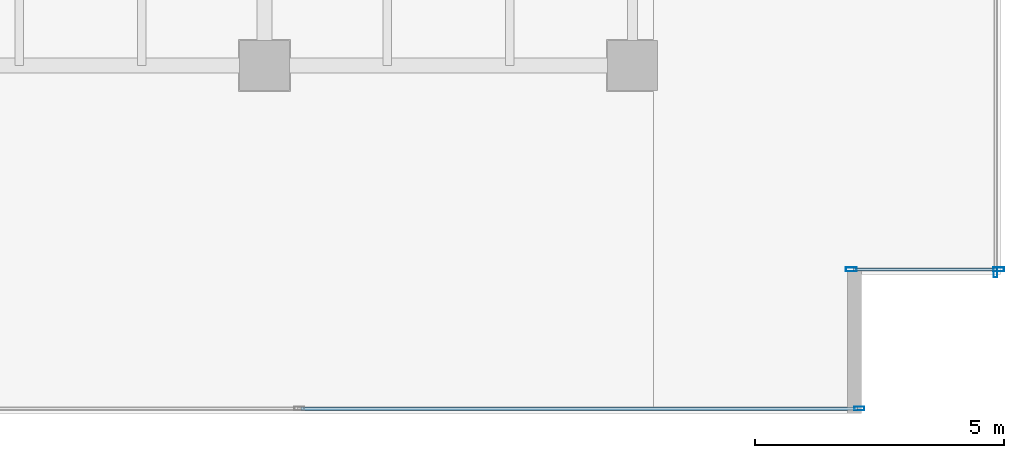
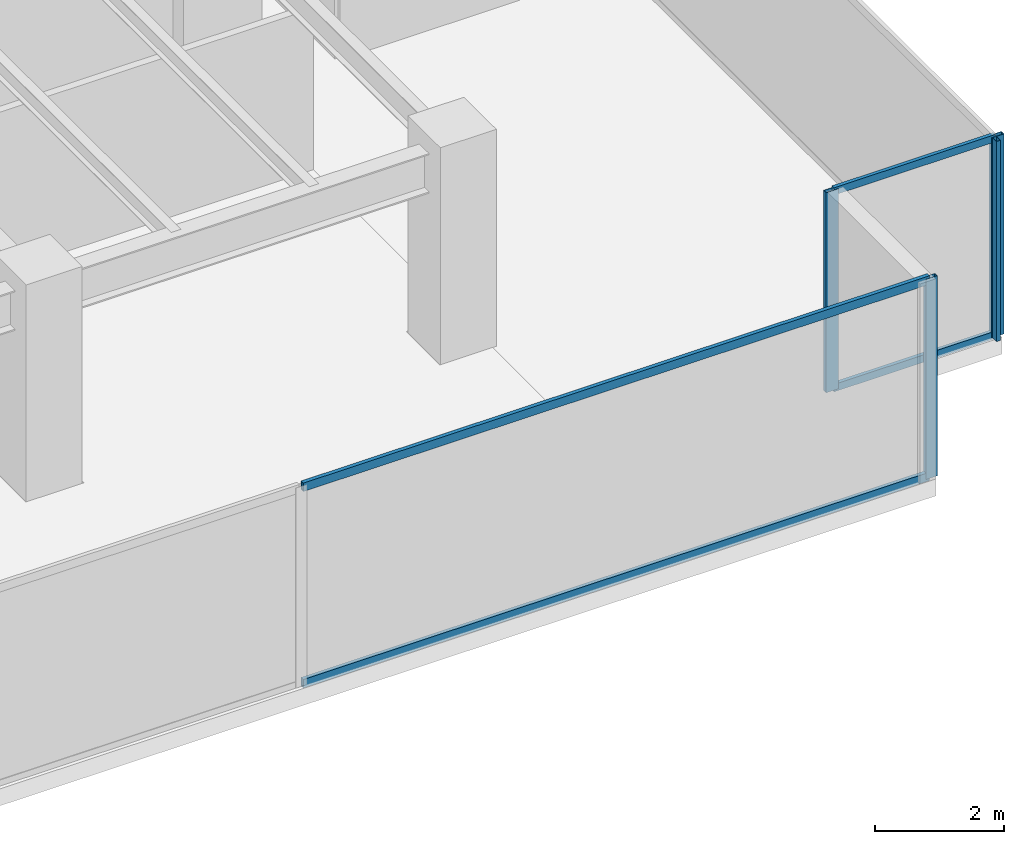
# One storey, part 23 of 36: 8 members, 3 elements without a shape of their own.
"""IFC4 building model written with IfcOpenShell, lengths in metres."""

from ifc_helpers import new_model, si_unit, direction, frame, origin, origin_2d, place, context, subcontext, project, spatial, hollow_rectangle, extrude, source, transform, mapped, material, layer, layer_set, material_profile, profile_set, type_object, type_shapes, element, aggregate, save


model = new_model("IFC4")

# Units and contexts
model_context = context("Model", 3, precision=1e-05, world=origin(), true_north=direction((0.0, 1.0)))
body_context = subcontext(model_context, "Body", "Model", "MODEL_VIEW")
ifc_project = project(units=[si_unit("LENGTHUNIT", "METRE"), si_unit("AREAUNIT", "SQUARE_METRE"), si_unit("VOLUMEUNIT", "CUBIC_METRE"), si_unit("PLANEANGLEUNIT", "RADIAN"), si_unit("MASSUNIT", "GRAM", prefix="KILO")], contexts=[model_context])

# Site, building, storey
site_placement = place(None, origin())
site = spatial("IfcSite", under=ifc_project, at=site_placement, CompositionType="ELEMENT")
building_placement = place(site_placement, origin())
building = spatial("IfcBuilding", under=site, at=building_placement, Name="Haelvirn Gate Laboratories", CompositionType="ELEMENT")
storey_placement = place(building_placement, frame((0.0, 0.0, 49.800048828125)))
storey = spatial("IfcBuildingStorey", under=building, at=storey_placement, Name="L12", CompositionType="ELEMENT", Elevation=49.800048828125)

# Curtain wall, member
ifc_material_1 = material(Name="Anodised bronze unitised aluminium & triple low-E glass", Category="aluminium")
ifc_layer_1 = layer(ifc_material_1, 0.18408203125, Name="CW-SYS-2")
ifc_layer_set_1 = layer_set([ifc_layer_1], Name="Anodised bronze unitised aluminium & triple low-E glass")
curtain_wall_type_1 = type_object("IfcCurtainWallType", Name="CW-SYS-2", PredefinedType="NOTDEFINED", material=ifc_layer_set_1)
curtain_wall_1_placement = place(storey_placement, origin())
curtain_wall_1 = element("IfcCurtainWall", 1, at=curtain_wall_1_placement, inside=storey, type_object=curtain_wall_type_1, Name="L12 Unitised Curtain Wall CW-L12-P0-E04-1", PredefinedType="NOTDEFINED")
ifc_material_2 = material(Name="Extruded aluminium 6063-T6 (anodised bronze)", Category="aluminium")
ifc_material_profile_1 = material_profile(ifc_material_2, hollow_rectangle(XDim=0.074951171875, YDim=0.199951171875, WallThickness=0.0048828125, at=origin_2d()), Name="CWM-200x75x5")
ifc_profile_set_1 = profile_set([ifc_material_profile_1], Name="Extruded aluminium 6063-T6 (anodised bronze)")
member_type_1 = type_object("IfcMemberType", Name="CWM-T200", PredefinedType="MULLION", material=ifc_profile_set_1)
shared_shape_1 = source(origin(), body_context, "Body", "SweptSolid", [
    extrude(hollow_rectangle(XDim=0.074951171875, YDim=0.199951171875, WallThickness=0.0048828125, at=origin_2d()), origin(), (0.0, 0.0, 1.0), 3.780029296875),
])
type_shapes(member_type_1, [shared_shape_1])
member_1_placement = place(storey_placement, frame((71.96240234375, 0.10009765625, 0.0), z_axis=(0.0, 0.0, 1.0), x_axis=(0.0, 1.0, 0.0)))
member_1 = element("IfcMember", 2, at=member_1_placement, type_object=member_type_1, Name="CW2 mullion 3", PredefinedType="MULLION", context=body_context, shape_type="MappedRepresentation", body=[
    mapped(shared_shape_1, transform((0.0, 0.0, 0.0), scale=1.0)),
])

curtain_wall_2_placement = place(storey_placement, origin())
curtain_wall_2 = element("IfcCurtainWall", 3, at=curtain_wall_2_placement, inside=storey, type_object=curtain_wall_type_1, Name="L12 Unitised Curtain Wall CW-L12-P0-E07", PredefinedType="NOTDEFINED")
member_2_placement = place(storey_placement, frame((74.699951171875, 2.83740234375, 0.0), z_axis=(0.0, 0.0, 1.0), x_axis=(-1.0, 0.0, 0.0)))
member_2 = element("IfcMember", 4, at=member_2_placement, type_object=member_type_1, Name="CW2 mullion 1", PredefinedType="MULLION", context=body_context, shape_type="MappedRepresentation", body=[
    mapped(shared_shape_1, transform((0.0, 0.0, 0.0), scale=1.0)),
])
aggregate(curtain_wall_2, [member_2])

# Member
ifc_material_profile_2 = material_profile(ifc_material_2, hollow_rectangle(XDim=0.070068359375, YDim=0.159912109375, WallThickness=0.0048828125, at=origin_2d()), Name="CWT-160x70x5")
ifc_profile_set_2 = profile_set([ifc_material_profile_2], Name="Extruded aluminium 6063-T6 (anodised bronze)")
member_type_2 = type_object("IfcMemberType", Name="CWT-T160", PredefinedType="USERDEFINED", material=ifc_profile_set_2)
shared_shape_2 = source(origin(), body_context, "Body", "SweptSolid", [
    extrude(hollow_rectangle(XDim=0.070068359375, YDim=0.159912109375, WallThickness=0.0048828125, at=origin_2d()), origin(), (0.0, 0.0, 1.0), 11.1875),
])
type_shapes(member_type_2, [shared_shape_2])
member_3_placement = place(storey_placement, frame((60.737548828125, 0.10009765625, 0.034912109375), z_axis=(1.0, 0.0, 0.0), x_axis=(0.0, 1.0, 0.0)))
member_3 = element("IfcMember", 5, at=member_3_placement, type_object=member_type_2, Name="CW2 transom 2.1", ObjectType="TRANSOM", PredefinedType="USERDEFINED", context=body_context, shape_type="MappedRepresentation", body=[
    mapped(shared_shape_2, transform((0.0, 0.0, 0.0), scale=1.0)),
])

member_4_placement = place(storey_placement, frame((60.737548828125, 0.10009765625, 3.744873046875), z_axis=(1.0, 0.0, 0.0), x_axis=(0.0, 1.0, 0.0)))
member_4 = element("IfcMember", 6, at=member_4_placement, type_object=member_type_2, Name="CW2 transom 2.2", ObjectType="TRANSOM", PredefinedType="USERDEFINED", context=body_context, shape_type="MappedRepresentation", body=[
    mapped(shared_shape_2, transform((0.0, 0.0, 0.0), scale=1.0)),
])

aggregate(curtain_wall_1, [member_1, member_3, member_4])

# Curtain wall, members
ifc_layer_2 = layer(ifc_material_1, 0.181884765625, Name="CW-SYS-5")
ifc_layer_set_2 = layer_set([ifc_layer_2], Name="Anodised bronze unitised aluminium & triple low-E glass")
curtain_wall_type_2 = type_object("IfcCurtainWallType", Name="CW-SYS-5", PredefinedType="NOTDEFINED", material=ifc_layer_set_2)
curtain_wall_3_placement = place(storey_placement, origin())
curtain_wall_3 = element("IfcCurtainWall", 7, at=curtain_wall_3_placement, inside=storey, type_object=curtain_wall_type_2, Name="L12 Unitised Curtain Wall CW-L12-P0-E06-1", PredefinedType="NOTDEFINED")
ifc_material_profile_3 = material_profile(ifc_material_2, hollow_rectangle(XDim=0.080078125, YDim=0.219970703125, WallThickness=0.006103515625, at=origin_2d()), Name="CWM-220x80x6")
ifc_profile_set_3 = profile_set([ifc_material_profile_3], Name="Extruded aluminium 6063-T6 (anodised bronze)")
member_type_3 = type_object("IfcMemberType", Name="CWM-T220", PredefinedType="MULLION", material=ifc_profile_set_3)
shared_shape_3 = source(origin(), body_context, "Body", "SweptSolid", [
    extrude(hollow_rectangle(XDim=0.080078125, YDim=0.219970703125, WallThickness=0.006103515625, at=origin_2d()), origin(), (0.0, 0.0, 1.0), 3.780029296875),
])
type_shapes(member_type_3, [shared_shape_3])
member_5_placement = place(storey_placement, frame((71.800048828125, 2.89990234375, 0.0), z_axis=(0.0, 0.0, 1.0), x_axis=(0.0, 1.0, 0.0)))
member_5 = element("IfcMember", 8, at=member_5_placement, type_object=member_type_3, Name="CW5 mullion 1", PredefinedType="MULLION", context=body_context, shape_type="MappedRepresentation", body=[
    mapped(shared_shape_3, transform((0.0, 0.0, 0.0), scale=1.0)),
])
member_6_placement = place(storey_placement, frame((74.760009765625, 2.89990234375, 0.0), z_axis=(0.0, 0.0, 1.0), x_axis=(0.0, 1.0, 0.0)))
member_6 = element("IfcMember", 9, at=member_6_placement, type_object=member_type_3, Name="CW5 mullion 2", PredefinedType="MULLION", context=body_context, shape_type="MappedRepresentation", body=[
    mapped(shared_shape_3, transform((0.0, 0.0, 0.0), scale=1.0)),
])
ifc_material_profile_4 = material_profile(ifc_material_2, hollow_rectangle(XDim=0.06494140625, YDim=0.139892578125, WallThickness=0.00390625, at=origin_2d()), Name="CWT-140x65x4")
ifc_profile_set_4 = profile_set([ifc_material_profile_4], Name="Extruded aluminium 6063-T6 (anodised bronze)")
member_type_4 = type_object("IfcMemberType", Name="CWT-T140", PredefinedType="USERDEFINED", material=ifc_profile_set_4)
shared_shape_4 = source(origin(), body_context, "Body", "SweptSolid", [
    extrude(hollow_rectangle(XDim=0.06494140625, YDim=0.139892578125, WallThickness=0.00390625, at=origin_2d()), origin(), (0.0, 0.0, 1.0), 2.8798828125),
])
type_shapes(member_type_4, [shared_shape_4])
member_7_placement = place(storey_placement, frame((71.840087890625, 2.89990234375, 0.032470703125), z_axis=(1.0, 0.0, 0.0), x_axis=(0.0, 1.0, 0.0)))
member_7 = element("IfcMember", 10, at=member_7_placement, type_object=member_type_4, Name="CW5 transom 1.1", ObjectType="TRANSOM", PredefinedType="USERDEFINED", context=body_context, shape_type="MappedRepresentation", body=[
    mapped(shared_shape_4, transform((0.0, 0.0, 0.0), scale=1.0)),
])
member_8_placement = place(storey_placement, frame((71.840087890625, 2.89990234375, 3.74755859375), z_axis=(1.0, 0.0, 0.0), x_axis=(0.0, 1.0, 0.0)))
member_8 = element("IfcMember", 11, at=member_8_placement, type_object=member_type_4, Name="CW5 transom 1.2", ObjectType="TRANSOM", PredefinedType="USERDEFINED", context=body_context, shape_type="MappedRepresentation", body=[
    mapped(shared_shape_4, transform((0.0, 0.0, 0.0), scale=1.0)),
])
aggregate(curtain_wall_3, [member_5, member_6, member_7, member_8])

save(model, "model.ifc")
